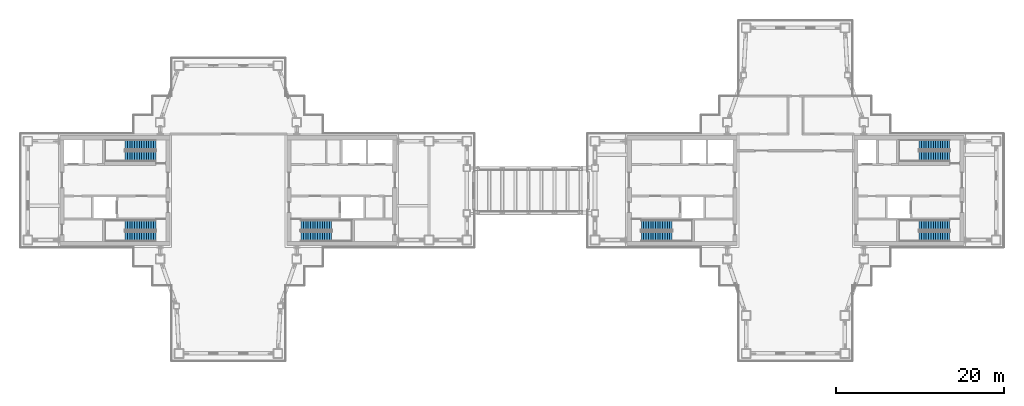
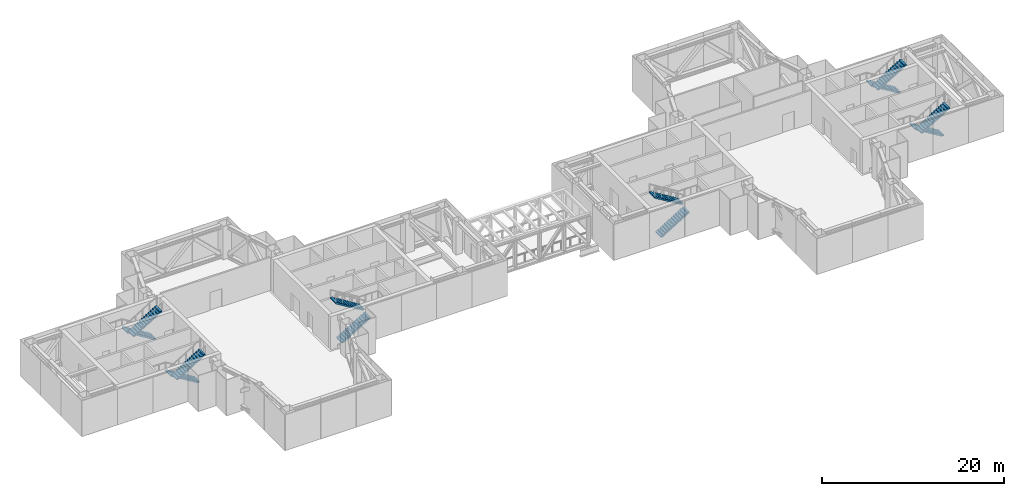
# One storey, part 13 of 21: 12 stair flights, 6 elements without a shape of their own.
"""IFC4 building model written with IfcOpenShell, lengths in metres."""

from ifc_helpers import new_model, si_unit, direction, frame, origin, place, context, subcontext, project, spatial, polyline, outline, extrude, material, type_object, element, aggregate, save


model = new_model("IFC4")

# Units and contexts
model_context = context("Model", 3, precision=1e-05, world=origin(), true_north=direction((0.0, 1.0)))
body_context = subcontext(model_context, "Body", "Model", "MODEL_VIEW")
ifc_project = project(units=[si_unit("LENGTHUNIT", "METRE"), si_unit("AREAUNIT", "SQUARE_METRE"), si_unit("VOLUMEUNIT", "CUBIC_METRE"), si_unit("PLANEANGLEUNIT", "RADIAN"), si_unit("MASSUNIT", "GRAM", prefix="KILO")], contexts=[model_context])

# Site, building, storey
site_placement = place(None, origin())
site = spatial("IfcSite", under=ifc_project, at=site_placement, CompositionType="ELEMENT")
building_placement = place(site_placement, origin())
building = spatial("IfcBuilding", under=site, at=building_placement, Name="Shamsa Quay Exchange Towers", CompositionType="ELEMENT")
storey_placement = place(building_placement, frame((0.0, 0.0, 177.89990234375)))
storey = spatial("IfcBuildingStorey", under=building, at=storey_placement, Name="L42", CompositionType="ELEMENT", Elevation=177.89990234375)

# Stair, stair flights
ifc_material = material(Name="Concrete C40/50", Category="concrete")
stair_type = type_object("IfcStairType", Name="EXIT STAIR 28 RISERS 171 MM", PredefinedType="HALF_TURN_STAIR", material=ifc_material)
stair_1_placement = place(storey_placement, origin())
stair_1 = element("IfcStair", 1, at=stair_1_placement, inside=storey, type_object=stair_type, Name="L42 Exit stair ST1", PredefinedType="HALF_TURN_STAIR")
stair_flight_type = type_object("IfcStairFlightType", Name="EXIT STAIR FLIGHT 14 RISERS 171 MM", PredefinedType="STRAIGHT", material=ifc_material)
stair_flight_1_placement = place(storey_placement, frame((-25.10009765625, -5.449951171875, 0.0)))
stair_flight_1 = element("IfcStairFlight", 2, at=stair_flight_1_placement, type_object=stair_flight_type, Name="ST1 flight 1", NumberOfRisers=14, NumberOfTreads=13, PredefinedType="STRAIGHT", RiserHeight=0.171428571, TreadLength=0.28, context=body_context, shape_type="SweptSolid", body=[
    extrude(outline(polyline([(0.0, 0.0), (0.0, 0.17138671875), (0.280029296875, 0.17138671875), (0.280029296875, 0.3427734375), (0.56005859375, 0.3427734375), (0.56005859375, 0.514404296875), (0.840087890625, 0.514404296875), (0.840087890625, 0.685791015625), (1.1201171875, 0.685791015625), (1.1201171875, 0.857177734375), (1.39990234375, 0.857177734375), (1.39990234375, 1.028564453125), (1.679931640625, 1.028564453125), (1.679931640625, 1.199951171875), (1.9599609375, 1.199951171875), (1.9599609375, 1.371337890625), (2.239990234375, 1.371337890625), (2.239990234375, 1.54296875), (2.52001953125, 1.54296875), (2.52001953125, 1.71435546875), (2.800048828125, 1.71435546875), (2.800048828125, 1.8857421875), (3.080078125, 1.8857421875), (3.080078125, 2.05712890625), (3.360107421875, 2.05712890625), (3.360107421875, 2.228515625), (3.639892578125, 2.228515625), (3.639892578125, 2.39990234375), (3.639892578125, 2.064453125), (0.267822265625, 0.0), (0.0, 0.0)])), frame((0.0, 0.60009765625, 0.0), z_axis=(0.0, -1.0, 0.0), x_axis=(1.0, 0.0, 0.0)), (0.0, 0.0, 1.0), 1.199951171875),
])
stair_flight_2_placement = place(storey_placement, frame((-21.4599609375, -4.10009765625, 2.400146484375), z_axis=(0.0, 0.0, 1.0), x_axis=(-1.0, 0.0, 0.0)))
stair_flight_2 = element("IfcStairFlight", 3, at=stair_flight_2_placement, type_object=stair_flight_type, Name="ST1 flight 2", NumberOfRisers=14, NumberOfTreads=13, PredefinedType="STRAIGHT", RiserHeight=0.171428571, TreadLength=0.28, context=body_context, shape_type="SweptSolid", body=[
    extrude(outline(polyline([(0.0, 0.0), (0.0, 0.17138671875), (0.280029296875, 0.17138671875), (0.280029296875, 0.3427734375), (0.56005859375, 0.3427734375), (0.56005859375, 0.514404296875), (0.840087890625, 0.514404296875), (0.840087890625, 0.685791015625), (1.1201171875, 0.685791015625), (1.1201171875, 0.857177734375), (1.39990234375, 0.857177734375), (1.39990234375, 1.028564453125), (1.679931640625, 1.028564453125), (1.679931640625, 1.199951171875), (1.9599609375, 1.199951171875), (1.9599609375, 1.371337890625), (2.239990234375, 1.371337890625), (2.239990234375, 1.54296875), (2.52001953125, 1.54296875), (2.52001953125, 1.71435546875), (2.800048828125, 1.71435546875), (2.800048828125, 1.8857421875), (3.080078125, 1.8857421875), (3.080078125, 2.05712890625), (3.360107421875, 2.05712890625), (3.360107421875, 2.228515625), (3.639892578125, 2.228515625), (3.639892578125, 2.39990234375), (3.639892578125, 2.064453125), (0.267822265625, 0.0), (0.0, 0.0)])), frame((0.0, 0.60009765625, 0.0), z_axis=(0.0, -1.0, 0.0), x_axis=(1.0, 0.0, 0.0)), (0.0, 0.0, 1.0), 1.199951171875),
])
aggregate(stair_1, [stair_flight_1, stair_flight_2])

stair_2_placement = place(storey_placement, origin())
stair_2 = element("IfcStair", 4, at=stair_2_placement, inside=storey, type_object=stair_type, Name="L42 Exit stair ST2", PredefinedType="HALF_TURN_STAIR")
stair_flight_3_placement = place(storey_placement, frame((-42.39990234375, -4.10009765625, 0.0), z_axis=(0.0, 0.0, 1.0), x_axis=(-1.0, 0.0, 0.0)))
stair_flight_3 = element("IfcStairFlight", 5, at=stair_flight_3_placement, type_object=stair_flight_type, Name="ST2 flight 1", NumberOfRisers=14, NumberOfTreads=13, PredefinedType="STRAIGHT", RiserHeight=0.171428571, TreadLength=0.28, context=body_context, shape_type="SweptSolid", body=[
    extrude(outline(polyline([(0.0, 0.0), (0.0, 0.17138671875), (0.280029296875, 0.17138671875), (0.280029296875, 0.3427734375), (0.56005859375, 0.3427734375), (0.56005859375, 0.514404296875), (0.840087890625, 0.514404296875), (0.840087890625, 0.685791015625), (1.1201171875, 0.685791015625), (1.1201171875, 0.857177734375), (1.39990234375, 0.857177734375), (1.39990234375, 1.028564453125), (1.679931640625, 1.028564453125), (1.679931640625, 1.199951171875), (1.9599609375, 1.199951171875), (1.9599609375, 1.371337890625), (2.239990234375, 1.371337890625), (2.239990234375, 1.54296875), (2.52001953125, 1.54296875), (2.52001953125, 1.71435546875), (2.800048828125, 1.71435546875), (2.800048828125, 1.8857421875), (3.080078125, 1.8857421875), (3.080078125, 2.05712890625), (3.360107421875, 2.05712890625), (3.360107421875, 2.228515625), (3.639892578125, 2.228515625), (3.639892578125, 2.39990234375), (3.639892578125, 2.064453125), (0.267822265625, 0.0), (0.0, 0.0)])), frame((0.0, 0.60009765625, 0.0), z_axis=(0.0, -1.0, 0.0), x_axis=(1.0, 0.0, 0.0)), (0.0, 0.0, 1.0), 1.199951171875),
])
stair_flight_4_placement = place(storey_placement, frame((-46.0400390625, -5.449951171875, 2.400146484375)))
stair_flight_4 = element("IfcStairFlight", 6, at=stair_flight_4_placement, type_object=stair_flight_type, Name="ST2 flight 2", NumberOfRisers=14, NumberOfTreads=13, PredefinedType="STRAIGHT", RiserHeight=0.171428571, TreadLength=0.28, context=body_context, shape_type="SweptSolid", body=[
    extrude(outline(polyline([(0.0, 0.0), (0.0, 0.17138671875), (0.280029296875, 0.17138671875), (0.280029296875, 0.3427734375), (0.56005859375, 0.3427734375), (0.56005859375, 0.514404296875), (0.840087890625, 0.514404296875), (0.840087890625, 0.685791015625), (1.1201171875, 0.685791015625), (1.1201171875, 0.857177734375), (1.39990234375, 0.857177734375), (1.39990234375, 1.028564453125), (1.679931640625, 1.028564453125), (1.679931640625, 1.199951171875), (1.9599609375, 1.199951171875), (1.9599609375, 1.371337890625), (2.239990234375, 1.371337890625), (2.239990234375, 1.54296875), (2.52001953125, 1.54296875), (2.52001953125, 1.71435546875), (2.800048828125, 1.71435546875), (2.800048828125, 1.8857421875), (3.080078125, 1.8857421875), (3.080078125, 2.05712890625), (3.360107421875, 2.05712890625), (3.360107421875, 2.228515625), (3.639892578125, 2.228515625), (3.639892578125, 2.39990234375), (3.639892578125, 2.064453125), (0.267822265625, 0.0), (0.0, 0.0)])), frame((0.0, 0.60009765625, 0.0), z_axis=(0.0, -1.0, 0.0), x_axis=(1.0, 0.0, 0.0)), (0.0, 0.0, 1.0), 1.199951171875),
])
aggregate(stair_2, [stair_flight_3, stair_flight_4])

stair_3_placement = place(storey_placement, origin())
stair_3 = element("IfcStair", 7, at=stair_3_placement, inside=storey, type_object=stair_type, Name="L42 Exit stair ST3", PredefinedType="HALF_TURN_STAIR")
stair_flight_5_placement = place(storey_placement, frame((-42.39990234375, 5.449951171875, 0.0), z_axis=(0.0, 0.0, 1.0), x_axis=(-1.0, 0.0, 0.0)))
stair_flight_5 = element("IfcStairFlight", 8, at=stair_flight_5_placement, type_object=stair_flight_type, Name="ST3 flight 1", NumberOfRisers=14, NumberOfTreads=13, PredefinedType="STRAIGHT", RiserHeight=0.171428571, TreadLength=0.28, context=body_context, shape_type="SweptSolid", body=[
    extrude(outline(polyline([(0.0, 0.0), (0.0, 0.17138671875), (0.280029296875, 0.17138671875), (0.280029296875, 0.3427734375), (0.56005859375, 0.3427734375), (0.56005859375, 0.514404296875), (0.840087890625, 0.514404296875), (0.840087890625, 0.685791015625), (1.1201171875, 0.685791015625), (1.1201171875, 0.857177734375), (1.39990234375, 0.857177734375), (1.39990234375, 1.028564453125), (1.679931640625, 1.028564453125), (1.679931640625, 1.199951171875), (1.9599609375, 1.199951171875), (1.9599609375, 1.371337890625), (2.239990234375, 1.371337890625), (2.239990234375, 1.54296875), (2.52001953125, 1.54296875), (2.52001953125, 1.71435546875), (2.800048828125, 1.71435546875), (2.800048828125, 1.8857421875), (3.080078125, 1.8857421875), (3.080078125, 2.05712890625), (3.360107421875, 2.05712890625), (3.360107421875, 2.228515625), (3.639892578125, 2.228515625), (3.639892578125, 2.39990234375), (3.639892578125, 2.064453125), (0.267822265625, 0.0), (0.0, 0.0)])), frame((0.0, 0.60009765625, 0.0), z_axis=(0.0, -1.0, 0.0), x_axis=(1.0, 0.0, 0.0)), (0.0, 0.0, 1.0), 1.199951171875),
])
stair_flight_6_placement = place(storey_placement, frame((-46.0400390625, 4.10009765625, 2.400146484375)))
stair_flight_6 = element("IfcStairFlight", 9, at=stair_flight_6_placement, type_object=stair_flight_type, Name="ST3 flight 2", NumberOfRisers=14, NumberOfTreads=13, PredefinedType="STRAIGHT", RiserHeight=0.171428571, TreadLength=0.28, context=body_context, shape_type="SweptSolid", body=[
    extrude(outline(polyline([(0.0, 0.0), (0.0, 0.17138671875), (0.280029296875, 0.17138671875), (0.280029296875, 0.3427734375), (0.56005859375, 0.3427734375), (0.56005859375, 0.514404296875), (0.840087890625, 0.514404296875), (0.840087890625, 0.685791015625), (1.1201171875, 0.685791015625), (1.1201171875, 0.857177734375), (1.39990234375, 0.857177734375), (1.39990234375, 1.028564453125), (1.679931640625, 1.028564453125), (1.679931640625, 1.199951171875), (1.9599609375, 1.199951171875), (1.9599609375, 1.371337890625), (2.239990234375, 1.371337890625), (2.239990234375, 1.54296875), (2.52001953125, 1.54296875), (2.52001953125, 1.71435546875), (2.800048828125, 1.71435546875), (2.800048828125, 1.8857421875), (3.080078125, 1.8857421875), (3.080078125, 2.05712890625), (3.360107421875, 2.05712890625), (3.360107421875, 2.228515625), (3.639892578125, 2.228515625), (3.639892578125, 2.39990234375), (3.639892578125, 2.064453125), (0.267822265625, 0.0), (0.0, 0.0)])), frame((0.0, 0.60009765625, 0.0), z_axis=(0.0, -1.0, 0.0), x_axis=(1.0, 0.0, 0.0)), (0.0, 0.0, 1.0), 1.199951171875),
])
aggregate(stair_3, [stair_flight_5, stair_flight_6])

stair_4_placement = place(storey_placement, origin())
stair_4 = element("IfcStair", 10, at=stair_4_placement, inside=storey, type_object=stair_type, Name="L42 Exit stair ST4", PredefinedType="HALF_TURN_STAIR")
stair_flight_7_placement = place(storey_placement, frame((15.39990234375, -5.449951171875, 0.0)))
stair_flight_7 = element("IfcStairFlight", 11, at=stair_flight_7_placement, type_object=stair_flight_type, Name="ST4 flight 1", NumberOfRisers=14, NumberOfTreads=13, PredefinedType="STRAIGHT", RiserHeight=0.171428571, TreadLength=0.28, context=body_context, shape_type="SweptSolid", body=[
    extrude(outline(polyline([(0.0, 0.0), (0.0, 0.17138671875), (0.280029296875, 0.17138671875), (0.280029296875, 0.3427734375), (0.56005859375, 0.3427734375), (0.56005859375, 0.514404296875), (0.840087890625, 0.514404296875), (0.840087890625, 0.685791015625), (1.1201171875, 0.685791015625), (1.1201171875, 0.857177734375), (1.39990234375, 0.857177734375), (1.39990234375, 1.028564453125), (1.679931640625, 1.028564453125), (1.679931640625, 1.199951171875), (1.9599609375, 1.199951171875), (1.9599609375, 1.371337890625), (2.239990234375, 1.371337890625), (2.239990234375, 1.54296875), (2.52001953125, 1.54296875), (2.52001953125, 1.71435546875), (2.800048828125, 1.71435546875), (2.800048828125, 1.8857421875), (3.080078125, 1.8857421875), (3.080078125, 2.05712890625), (3.360107421875, 2.05712890625), (3.360107421875, 2.228515625), (3.639892578125, 2.228515625), (3.639892578125, 2.39990234375), (3.639892578125, 2.064453125), (0.267822265625, 0.0), (0.0, 0.0)])), frame((0.0, 0.60009765625, 0.0), z_axis=(0.0, -1.0, 0.0), x_axis=(1.0, 0.0, 0.0)), (0.0, 0.0, 1.0), 1.199951171875),
])
stair_flight_8_placement = place(storey_placement, frame((19.0400390625, -4.10009765625, 2.400146484375), z_axis=(0.0, 0.0, 1.0), x_axis=(-1.0, 0.0, 0.0)))
stair_flight_8 = element("IfcStairFlight", 12, at=stair_flight_8_placement, type_object=stair_flight_type, Name="ST4 flight 2", NumberOfRisers=14, NumberOfTreads=13, PredefinedType="STRAIGHT", RiserHeight=0.171428571, TreadLength=0.28, context=body_context, shape_type="SweptSolid", body=[
    extrude(outline(polyline([(0.0, 0.0), (0.0, 0.17138671875), (0.280029296875, 0.17138671875), (0.280029296875, 0.3427734375), (0.56005859375, 0.3427734375), (0.56005859375, 0.514404296875), (0.840087890625, 0.514404296875), (0.840087890625, 0.685791015625), (1.1201171875, 0.685791015625), (1.1201171875, 0.857177734375), (1.39990234375, 0.857177734375), (1.39990234375, 1.028564453125), (1.679931640625, 1.028564453125), (1.679931640625, 1.199951171875), (1.9599609375, 1.199951171875), (1.9599609375, 1.371337890625), (2.239990234375, 1.371337890625), (2.239990234375, 1.54296875), (2.52001953125, 1.54296875), (2.52001953125, 1.71435546875), (2.800048828125, 1.71435546875), (2.800048828125, 1.8857421875), (3.080078125, 1.8857421875), (3.080078125, 2.05712890625), (3.360107421875, 2.05712890625), (3.360107421875, 2.228515625), (3.639892578125, 2.228515625), (3.639892578125, 2.39990234375), (3.639892578125, 2.064453125), (0.267822265625, 0.0), (0.0, 0.0)])), frame((0.0, 0.60009765625, 0.0), z_axis=(0.0, -1.0, 0.0), x_axis=(1.0, 0.0, 0.0)), (0.0, 0.0, 1.0), 1.199951171875),
])
aggregate(stair_4, [stair_flight_7, stair_flight_8])

stair_5_placement = place(storey_placement, origin())
stair_5 = element("IfcStair", 13, at=stair_5_placement, inside=storey, type_object=stair_type, Name="L42 Exit stair ST5", PredefinedType="HALF_TURN_STAIR")
stair_flight_9_placement = place(storey_placement, frame((52.10009765625, -4.10009765625, 0.0), z_axis=(0.0, 0.0, 1.0), x_axis=(-1.0, 0.0, 0.0)))
stair_flight_9 = element("IfcStairFlight", 14, at=stair_flight_9_placement, type_object=stair_flight_type, Name="ST5 flight 1", NumberOfRisers=14, NumberOfTreads=13, PredefinedType="STRAIGHT", RiserHeight=0.171428571, TreadLength=0.28, context=body_context, shape_type="SweptSolid", body=[
    extrude(outline(polyline([(0.0, 0.0), (0.0, 0.17138671875), (0.280029296875, 0.17138671875), (0.280029296875, 0.3427734375), (0.56005859375, 0.3427734375), (0.56005859375, 0.514404296875), (0.840087890625, 0.514404296875), (0.840087890625, 0.685791015625), (1.1201171875, 0.685791015625), (1.1201171875, 0.857177734375), (1.39990234375, 0.857177734375), (1.39990234375, 1.028564453125), (1.679931640625, 1.028564453125), (1.679931640625, 1.199951171875), (1.9599609375, 1.199951171875), (1.9599609375, 1.371337890625), (2.239990234375, 1.371337890625), (2.239990234375, 1.54296875), (2.52001953125, 1.54296875), (2.52001953125, 1.71435546875), (2.800048828125, 1.71435546875), (2.800048828125, 1.8857421875), (3.080078125, 1.8857421875), (3.080078125, 2.05712890625), (3.360107421875, 2.05712890625), (3.360107421875, 2.228515625), (3.639892578125, 2.228515625), (3.639892578125, 2.39990234375), (3.639892578125, 2.064453125), (0.267822265625, 0.0), (0.0, 0.0)])), frame((0.0, 0.60009765625, 0.0), z_axis=(0.0, -1.0, 0.0), x_axis=(1.0, 0.0, 0.0)), (0.0, 0.0, 1.0), 1.199951171875),
])
stair_flight_10_placement = place(storey_placement, frame((48.4599609375, -5.449951171875, 2.400146484375)))
stair_flight_10 = element("IfcStairFlight", 15, at=stair_flight_10_placement, type_object=stair_flight_type, Name="ST5 flight 2", NumberOfRisers=14, NumberOfTreads=13, PredefinedType="STRAIGHT", RiserHeight=0.171428571, TreadLength=0.28, context=body_context, shape_type="SweptSolid", body=[
    extrude(outline(polyline([(0.0, 0.0), (0.0, 0.17138671875), (0.280029296875, 0.17138671875), (0.280029296875, 0.3427734375), (0.56005859375, 0.3427734375), (0.56005859375, 0.514404296875), (0.840087890625, 0.514404296875), (0.840087890625, 0.685791015625), (1.1201171875, 0.685791015625), (1.1201171875, 0.857177734375), (1.39990234375, 0.857177734375), (1.39990234375, 1.028564453125), (1.679931640625, 1.028564453125), (1.679931640625, 1.199951171875), (1.9599609375, 1.199951171875), (1.9599609375, 1.371337890625), (2.239990234375, 1.371337890625), (2.239990234375, 1.54296875), (2.52001953125, 1.54296875), (2.52001953125, 1.71435546875), (2.800048828125, 1.71435546875), (2.800048828125, 1.8857421875), (3.080078125, 1.8857421875), (3.080078125, 2.05712890625), (3.360107421875, 2.05712890625), (3.360107421875, 2.228515625), (3.639892578125, 2.228515625), (3.639892578125, 2.39990234375), (3.639892578125, 2.064453125), (0.267822265625, 0.0), (0.0, 0.0)])), frame((0.0, 0.60009765625, 0.0), z_axis=(0.0, -1.0, 0.0), x_axis=(1.0, 0.0, 0.0)), (0.0, 0.0, 1.0), 1.199951171875),
])
aggregate(stair_5, [stair_flight_9, stair_flight_10])

stair_6_placement = place(storey_placement, origin())
stair_6 = element("IfcStair", 16, at=stair_6_placement, inside=storey, type_object=stair_type, Name="L42 Exit stair ST6", PredefinedType="HALF_TURN_STAIR")
stair_flight_11_placement = place(storey_placement, frame((52.10009765625, 5.449951171875, 0.0), z_axis=(0.0, 0.0, 1.0), x_axis=(-1.0, 0.0, 0.0)))
stair_flight_11 = element("IfcStairFlight", 17, at=stair_flight_11_placement, type_object=stair_flight_type, Name="ST6 flight 1", NumberOfRisers=14, NumberOfTreads=13, PredefinedType="STRAIGHT", RiserHeight=0.171428571, TreadLength=0.28, context=body_context, shape_type="SweptSolid", body=[
    extrude(outline(polyline([(0.0, 0.0), (0.0, 0.17138671875), (0.280029296875, 0.17138671875), (0.280029296875, 0.3427734375), (0.56005859375, 0.3427734375), (0.56005859375, 0.514404296875), (0.840087890625, 0.514404296875), (0.840087890625, 0.685791015625), (1.1201171875, 0.685791015625), (1.1201171875, 0.857177734375), (1.39990234375, 0.857177734375), (1.39990234375, 1.028564453125), (1.679931640625, 1.028564453125), (1.679931640625, 1.199951171875), (1.9599609375, 1.199951171875), (1.9599609375, 1.371337890625), (2.239990234375, 1.371337890625), (2.239990234375, 1.54296875), (2.52001953125, 1.54296875), (2.52001953125, 1.71435546875), (2.800048828125, 1.71435546875), (2.800048828125, 1.8857421875), (3.080078125, 1.8857421875), (3.080078125, 2.05712890625), (3.360107421875, 2.05712890625), (3.360107421875, 2.228515625), (3.639892578125, 2.228515625), (3.639892578125, 2.39990234375), (3.639892578125, 2.064453125), (0.267822265625, 0.0), (0.0, 0.0)])), frame((0.0, 0.60009765625, 0.0), z_axis=(0.0, -1.0, 0.0), x_axis=(1.0, 0.0, 0.0)), (0.0, 0.0, 1.0), 1.199951171875),
])
stair_flight_12_placement = place(storey_placement, frame((48.4599609375, 4.10009765625, 2.400146484375)))
stair_flight_12 = element("IfcStairFlight", 18, at=stair_flight_12_placement, type_object=stair_flight_type, Name="ST6 flight 2", NumberOfRisers=14, NumberOfTreads=13, PredefinedType="STRAIGHT", RiserHeight=0.171428571, TreadLength=0.28, context=body_context, shape_type="SweptSolid", body=[
    extrude(outline(polyline([(0.0, 0.0), (0.0, 0.17138671875), (0.280029296875, 0.17138671875), (0.280029296875, 0.3427734375), (0.56005859375, 0.3427734375), (0.56005859375, 0.514404296875), (0.840087890625, 0.514404296875), (0.840087890625, 0.685791015625), (1.1201171875, 0.685791015625), (1.1201171875, 0.857177734375), (1.39990234375, 0.857177734375), (1.39990234375, 1.028564453125), (1.679931640625, 1.028564453125), (1.679931640625, 1.199951171875), (1.9599609375, 1.199951171875), (1.9599609375, 1.371337890625), (2.239990234375, 1.371337890625), (2.239990234375, 1.54296875), (2.52001953125, 1.54296875), (2.52001953125, 1.71435546875), (2.800048828125, 1.71435546875), (2.800048828125, 1.8857421875), (3.080078125, 1.8857421875), (3.080078125, 2.05712890625), (3.360107421875, 2.05712890625), (3.360107421875, 2.228515625), (3.639892578125, 2.228515625), (3.639892578125, 2.39990234375), (3.639892578125, 2.064453125), (0.267822265625, 0.0), (0.0, 0.0)])), frame((0.0, 0.60009765625, 0.0), z_axis=(0.0, -1.0, 0.0), x_axis=(1.0, 0.0, 0.0)), (0.0, 0.0, 1.0), 1.199951171875),
])
aggregate(stair_6, [stair_flight_11, stair_flight_12])

save(model, "model.ifc")
